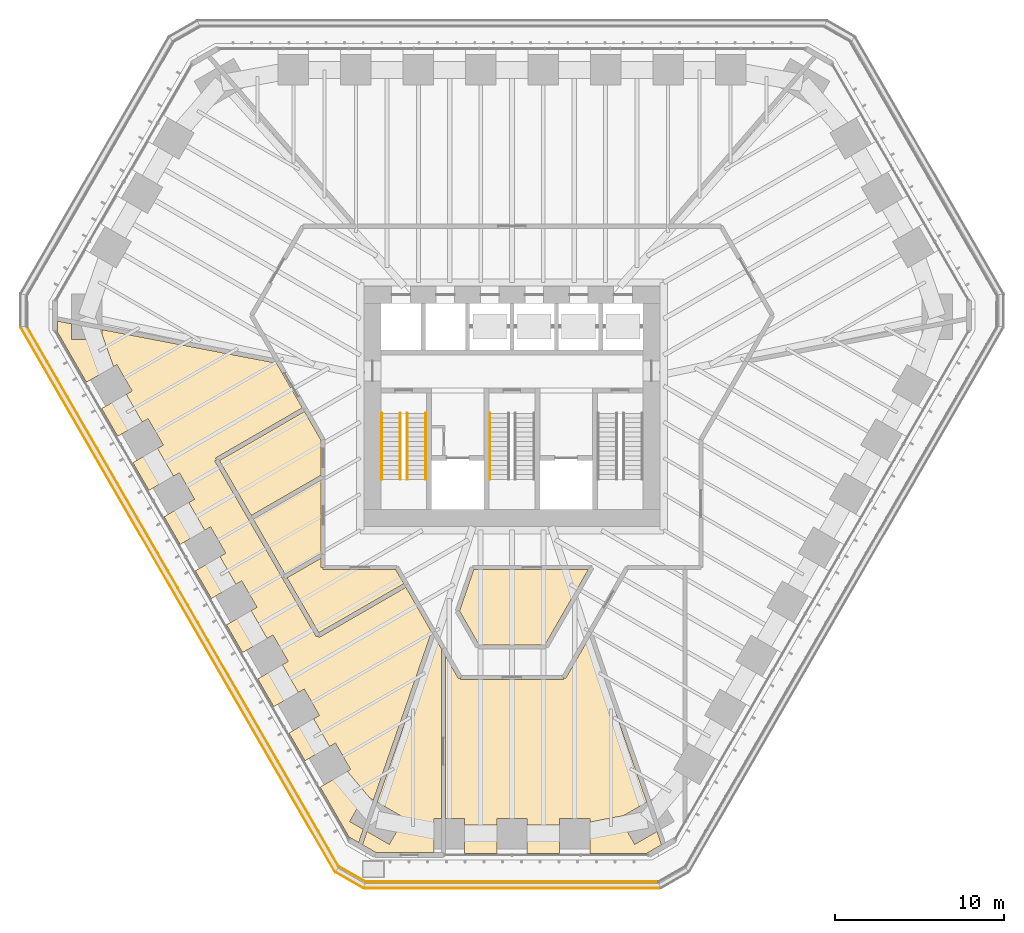
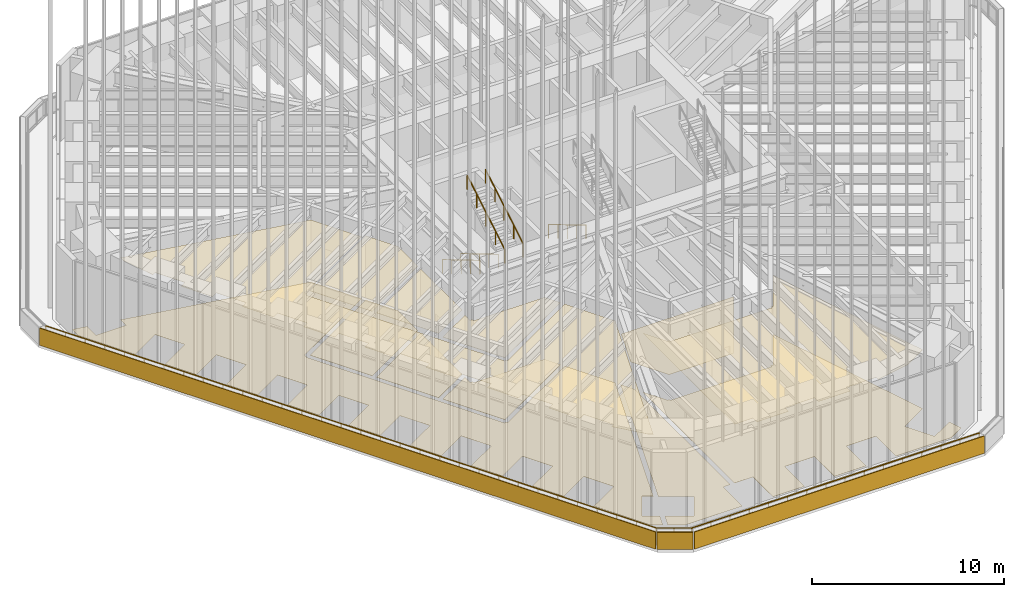
# One storey, part 223 of 228: 15 coverings, 8 railings.
"""IFC4 building model written with IfcOpenShell, lengths in metres."""

import ifcopenshell
import ifcopenshell.guid

model = None  # the IFC model being written
_history = None  # IfcOwnerHistory: only IFC2X3 demands one
_inside = {}  # id of a spatial element -> (the spatial element, [elements in it])
_under = {}  # id of a project, library or spatial element -> (it, [spatial elements below it])
_declared = {}  # id of a project -> (the project, [libraries it declares])
_typed = {}  # id of a type object -> (the type object, [elements of that type])
_made_of = {}  # id of a material, layer set ... -> (it, [elements and type objects made of it])


def new_model(schema):
    """Start an empty IFC model of exactly this schema.

    Asked for "IFC4X3", IfcOpenShell would pick the latest addendum, in which some entities
    have other attributes; the version numbers below select the first issue.
    IFC2X3 requires an IfcOwnerHistory on every rooted entity: one is made here for all.
    """
    global model, _history
    if schema == "IFC4X3":
        model = ifcopenshell.file(schema_version=(4, 3, 0, 0))
    else:
        model = ifcopenshell.file(schema=schema)
    _inside.clear()
    _under.clear()
    _declared.clear()
    _typed.clear()
    _made_of.clear()
    _history = None
    if model.schema == "IFC2X3":
        org = make("IfcOrganization", Name="unknown")
        user = make(
            "IfcPersonAndOrganization",
            ThePerson=make("IfcPerson", FamilyName="unknown"),
            TheOrganization=org,
        )
        app = make(
            "IfcApplication",
            ApplicationDeveloper=org,
            Version="unknown",
            ApplicationFullName="unknown",
            ApplicationIdentifier="unknown",
        )
        _history = make(
            "IfcOwnerHistory",
            OwningUser=user,
            OwningApplication=app,
            ChangeAction="ADDED",
            CreationDate=0,
        )
    return model


def make(cls, **values):
    """One entity of the class cls with the attributes given. An attribute that is None is left unset."""
    return model.create_entity(
        cls, **{name: value for name, value in values.items() if value is not None}
    )


def rooted(cls, **values):
    """An entity with a GlobalId (a new one), such as an element, a storey or a relation."""
    return make(cls, GlobalId=ifcopenshell.guid.new(), OwnerHistory=_history, **values)


def si_unit(unit_type, name, prefix=None):
    """IfcSIUnit, for example si_unit("LENGTHUNIT", "METRE", prefix="MILLI")."""
    return make("IfcSIUnit", UnitType=unit_type, Prefix=prefix, Name=name)


def assignment(units):
    """IfcUnitAssignment: the units of a project."""
    return None if units is None else make("IfcUnitAssignment", Units=units)


def point(xyz):
    """IfcCartesianPoint."""
    return None if xyz is None else make("IfcCartesianPoint", Coordinates=xyz)


def direction(xyz):
    """IfcDirection."""
    return None if xyz is None else make("IfcDirection", DirectionRatios=xyz)


def frame(location, z_axis=None, x_axis=None):
    """IfcAxis2Placement3D, a coordinate frame: its origin and axes. An axis left out is left unset."""
    return make(
        "IfcAxis2Placement3D",
        Location=point(location),
        Axis=direction(z_axis),
        RefDirection=direction(x_axis),
    )


def frame_2d(location, x_axis=None):
    """IfcAxis2Placement2D, a coordinate frame in the plane: its origin and x axis."""
    return make(
        "IfcAxis2Placement2D", Location=point(location), RefDirection=direction(x_axis)
    )


def origin():
    """The frame at (0, 0, 0) with its axes left unset."""
    return frame((0.0, 0.0, 0.0))


def origin_2d():
    """The frame at (0, 0) in the plane with its x axis left unset."""
    return frame_2d((0.0, 0.0))


def place(relative_to, where):
    """IfcLocalPlacement: puts the frame where relative to a parent placement (None: the world)."""
    return make(
        "IfcLocalPlacement", PlacementRelTo=relative_to, RelativePlacement=where
    )


def context(
    kind, dimensions, precision=None, world=None, true_north=None, identifier=None
):
    """IfcGeometricRepresentationContext, for example the 3D "Model" context."""
    return make(
        "IfcGeometricRepresentationContext",
        ContextIdentifier=identifier,
        ContextType=kind,
        CoordinateSpaceDimension=dimensions,
        Precision=precision,
        WorldCoordinateSystem=world,
        TrueNorth=true_north,
    )


def subcontext(parent, identifier, kind, view, scale=None):
    """IfcGeometricRepresentationSubContext, for example "Body" below "Model"."""
    return make(
        "IfcGeometricRepresentationSubContext",
        ContextIdentifier=identifier,
        ContextType=kind,
        ParentContext=parent,
        TargetScale=scale,
        TargetView=view,
    )


def project(units=None, contexts=None):
    """IfcProject with its units and contexts."""
    return rooted(
        "IfcProject",
        Name="project",
        RepresentationContexts=contexts,
        UnitsInContext=assignment(units),
    )


def spatial(cls, under=None, at=None, **own):
    """A site, building, storey or space (cls), placed at a placement, below another one or the project."""
    s = rooted(cls, ObjectPlacement=at, **own)
    if under is not None:
        _under.setdefault(under.id(), (under, []))[1].append(s)
    return s


def polyline(points):
    """IfcPolyline through the points."""
    return make("IfcPolyline", Points=[point(p) for p in points])


def profile(cls, at=None, kind="AREA", **sizes):
    """A parametric profile (cls). Its sizes go by their IFC names, for example OverallWidth=200.0."""
    return make(cls, ProfileType=kind, Position=at, **sizes)


def rectangle(**sizes):
    """IfcRectangleProfileDef."""
    return profile("IfcRectangleProfileDef", **sizes)


def circle(**sizes):
    """IfcCircleProfileDef."""
    return profile("IfcCircleProfileDef", **sizes)


def outline(outer, holes=None, kind="AREA"):
    """IfcArbitraryClosedProfileDef: a profile drawn as a closed curve; with holes, ...WithVoids."""
    if holes is None:
        return make("IfcArbitraryClosedProfileDef", ProfileType=kind, OuterCurve=outer)
    return make(
        "IfcArbitraryProfileDefWithVoids",
        ProfileType=kind,
        OuterCurve=outer,
        InnerCurves=holes,
    )


def extrude(swept, where, along, depth):
    """IfcExtrudedAreaSolid: the profile swept, set in the frame where, extruded along a direction by depth."""
    return make(
        "IfcExtrudedAreaSolid",
        SweptArea=swept,
        Position=where,
        ExtrudedDirection=direction(along),
        Depth=depth,
    )


def shape(context_of_items, identifier, shape_type, items):
    """IfcShapeRepresentation: the items that make up one representation, for example the "Body"."""
    return make(
        "IfcShapeRepresentation",
        ContextOfItems=context_of_items,
        RepresentationIdentifier=identifier,
        RepresentationType=shape_type,
        Items=items,
    )


def material(Name=None, Category=None):
    """IfcMaterial."""
    return make("IfcMaterial", Name=Name, Category=Category)


def layer(
    of_material, thickness, ventilated=None, Name=None, Category=None, Priority=None
):
    """IfcMaterialLayer: one layer of a wall or slab, of a material (None: an air gap)."""
    return make(
        "IfcMaterialLayer",
        Material=of_material,
        LayerThickness=thickness,
        IsVentilated=ventilated,
        Name=Name,
        Category=Category,
        Priority=Priority,
    )


def layer_set(layers, Name=None):
    """IfcMaterialLayerSet."""
    return make("IfcMaterialLayerSet", MaterialLayers=layers, LayerSetName=Name)


def made_of(thing, what):
    """Note that an element or type object is made of a material, layer set ...; save() writes the relation."""
    if what is not None:
        _made_of.setdefault(what.id(), (what, []))[1].append(thing)
    return thing


def type_object(cls, material=None, **own):
    """A type object (cls), such as IfcWallType, which elements share."""
    return made_of(rooted(cls, **own), material)


def element(
    cls,
    number,
    at=None,
    inside=None,
    cuts=None,
    type_object=None,
    material=None,
    context=None,
    identifier="Body",
    shape_type=None,
    held_by="IfcProductDefinitionShape",
    body=None,
    shapes=None,
    **own,
):
    """One element of the class cls, such as IfcWall. Its Tag is "e" and its number.

    at: its placement. inside: the storey or other place that contains it. cuts: it is an
    opening in that element (IfcRelVoidsElement). A single representation is given by context,
    identifier, shape_type and body (its items); several are given by shapes. held_by: the class
    of the entity that holds the representations. save() writes the other relations.
    """
    e = rooted(cls, Tag="e%d" % number, ObjectPlacement=at, **own)
    if body is not None:
        shapes = [shape(context, identifier, shape_type, body)]
    if shapes is not None:
        e.Representation = make(held_by, Representations=shapes)
    if inside is not None:
        _inside.setdefault(inside.id(), (inside, []))[1].append(e)
    if cuts is not None:
        rooted(
            "IfcRelVoidsElement", RelatingBuildingElement=cuts, RelatedOpeningElement=e
        )
    if type_object is not None:
        _typed.setdefault(type_object.id(), (type_object, []))[1].append(e)
    return made_of(e, material)


def aggregate(whole, parts):
    """IfcRelAggregates: a whole, such as a stair, and the parts it consists of."""
    return rooted("IfcRelAggregates", RelatingObject=whole, RelatedObjects=parts)


def save(model, path):
    """Write the relations noted so far, then the file.

    IfcRelAggregates (storeys below a building ...), IfcRelContainedInSpatialStructure (elements
    in a storey), IfcRelDefinesByType, IfcRelAssociatesMaterial and IfcRelDeclares: one each for
    every whole, place, type object, material and project.
    """
    for whole, parts in _under.values():
        aggregate(whole, parts)
    for where, things in _inside.values():
        rooted(
            "IfcRelContainedInSpatialStructure",
            RelatedElements=things,
            RelatingStructure=where,
        )
    for kind, things in _typed.values():
        rooted("IfcRelDefinesByType", RelatedObjects=things, RelatingType=kind)
    for what, things in _made_of.values():
        rooted("IfcRelAssociatesMaterial", RelatedObjects=things, RelatingMaterial=what)
    for by, libraries in _declared.values():
        rooted("IfcRelDeclares", RelatingContext=by, RelatedDefinitions=libraries)
    model.write(path)


model = new_model("IFC4")

# Units and contexts
model_context = context("Model", 3, precision=1e-05, world=origin(), true_north=direction((0.0, 1.0)))
body_context = subcontext(model_context, "Body", "Model", "MODEL_VIEW")
ifc_project = project(units=[si_unit("LENGTHUNIT", "METRE"), si_unit("AREAUNIT", "SQUARE_METRE"), si_unit("VOLUMEUNIT", "CUBIC_METRE"), si_unit("PLANEANGLEUNIT", "RADIAN"), si_unit("MASSUNIT", "GRAM", prefix="KILO")], contexts=[model_context])

# Site, building, storey
site_placement = place(None, origin())
site = spatial("IfcSite", under=ifc_project, at=site_placement, CompositionType="ELEMENT")
building_placement = place(site_placement, origin())
building = spatial("IfcBuilding", under=site, at=building_placement, Name="Sandreach Pilgrim Tower", CompositionType="ELEMENT")
storey_placement = place(building_placement, frame((0.0, 0.0, 178.199951171875)))
storey = spatial("IfcBuildingStorey", under=building, at=storey_placement, Name="L44", CompositionType="ELEMENT", Elevation=178.199951171875)

# Coverings
ifc_material_1 = material(Name="Nylon carpet tile on the slab", Category="textile")
ifc_layer_1 = layer(ifc_material_1, 0.008056640625)
ifc_layer_set_1 = layer_set([ifc_layer_1], Name="Carpet tile")
covering_type_1 = type_object("IfcCoveringType", Name="Carpet tile", PredefinedType="FLOORING", material=ifc_layer_set_1)
covering_1_placement = place(storey_placement, origin())
element("IfcCovering", 1, at=covering_1_placement, inside=storey, type_object=covering_type_1, Name="Floor finish 4404 Housekeeping and linen room", PredefinedType="FLOORING", context=body_context, shape_type="SweptSolid", body=[
    extrude(outline(polyline([(-3.168212890625, -16.09228515625), (-3.06005859375, -16.030029296875), (-3.06005859375, -16.155029296875), (3.06005859375, -16.155029296875), (3.06005859375, -16.030029296875), (3.168212890625, -16.092529296875), (4.59130859375, -13.62939453125), (7.975341796875, -23.404541015625), (6.359375, -24.33740234375), (7.25927734375, -25.896240234375), (8.574951171875, -25.13671875), (8.845947265625, -25.919677734375), (7.93603515625, -26.445068359375), (4.6103515625, -26.445068359375), (4.6103515625, -24.365234375), (2.810302734375, -24.365234375), (2.810302734375, -26.445068359375), (0.89990234375, -26.445068359375), (0.89990234375, -24.365234375), (-0.89990234375, -24.365234375), (-0.89990234375, -26.445068359375), (-2.810302734375, -26.445068359375), (-2.810302734375, -24.365234375), (-3.925048828125, -24.365234375), (-3.925048828125, -14.77783203125), (-3.168212890625, -16.09228515625)])), origin(), (0.0, 0.0, 1.0), 0.008056640625),
])
covering_2_placement = place(storey_placement, origin())
element("IfcCovering", 2, at=covering_2_placement, inside=storey, type_object=covering_type_1, Name="Floor finish 4405 Business centre", PredefinedType="FLOORING", context=body_context, shape_type="SweptSolid", body=[
    extrude(outline(polyline([(-26.8701171875, 4.380126953125), (-26.8701171875, 5.04443359375), (-26.056640625, 4.887939453125), (-26.056640625, 3.96142578125), (-24.256591796875, 3.96142578125), (-24.256591796875, 4.542236328125), (-13.9296875, 2.55810546875), (-12.40087890625, -0.08447265625), (-17.53369140625, -3.052490234375), (-17.504638671875, -3.179931640625), (-17.578125, -3.22265625), (-11.5771484375, -13.614501953125), (-11.457275390625, -13.572021484375), (-11.407470703125, -13.658203125), (-6.27587890625, -10.70068359375), (-4.7568359375, -13.343017578125), (-8.19580078125, -23.277099609375), (-8.697509765625, -22.987548828125), (-9.59765625, -24.54638671875), (-8.79541015625, -25.009521484375), (-9.066650390625, -25.79248046875), (-9.6416015625, -25.46044921875), (-11.343994140625, -22.51171875), (-9.542724609375, -21.4716796875), (-10.442626953125, -19.912841796875), (-12.244140625, -20.952880859375), (-13.190185546875, -19.31396484375), (-11.388916015625, -18.27392578125), (-12.2890625, -16.715087890625), (-14.09033203125, -17.755126953125), (-15.03662109375, -16.1162109375), (-13.235107421875, -15.076171875), (-14.13525390625, -13.517333984375), (-15.9365234375, -14.557373046875), (-16.8828125, -12.91845703125), (-15.08154296875, -11.87841796875), (-15.9814453125, -10.319580078125), (-17.78271484375, -11.359619140625), (-18.72900390625, -9.720703125), (-16.927734375, -8.6806640625), (-17.82763671875, -7.121826171875), (-19.629150390625, -8.16162109375), (-20.5751953125, -6.522705078125), (-18.77392578125, -5.48291015625), (-19.673828125, -3.923828125), (-21.475341796875, -4.9638671875), (-22.421630859375, -3.324951171875), (-20.6201171875, -2.284912109375), (-21.520263671875, -0.72607421875), (-23.321533203125, -1.76611328125), (-24.267822265625, -0.127197265625), (-22.466552734375, 0.912841796875), (-23.366455078125, 2.4716796875), (-25.167724609375, 1.431640625), (-26.8701171875, 4.380126953125)])), origin(), (0.0, 0.0, 1.0), 0.008056640625),
])
ifc_material_2 = material(Name="Epoxy resin floor on the slab", Category="plastic")
ifc_layer_2 = layer(ifc_material_2, 0.00390625)
ifc_layer_set_2 = layer_set([ifc_layer_2], Name="Epoxy resin floor")
covering_type_2 = type_object("IfcCoveringType", Name="Epoxy resin floor", PredefinedType="FLOORING", material=ifc_layer_set_2)
covering_3_placement = place(storey_placement, origin())
element("IfcCovering", 3, at=covering_3_placement, inside=storey, type_object=covering_type_2, Name="Floor finish 44B1 Baggage store", PredefinedType="FLOORING", context=body_context, shape_type="SweptSolid", body=[
    extrude(outline(polyline([(4.513916015625, -9.64501953125), (1.94775390625, -14.10498046875), (-1.94775390625, -14.10498046875), (-3.103271484375, -12.096923828125), (-2.2607421875, -9.64501953125), (4.513916015625, -9.64501953125)])), origin(), (0.0, 0.0, 1.0), 0.004150390625),
])
covering_4_placement = place(storey_placement, origin())
element("IfcCovering", 4, at=covering_4_placement, inside=storey, type_object=covering_type_2, Name="Floor finish 44N2 Roof maintenance store", PredefinedType="FLOORING", context=body_context, shape_type="SweptSolid", body=[
    extrude(outline(polyline([(-8.05712890625, -26.375244140625), (-8.845947265625, -25.919677734375), (-8.574951171875, -25.13671875), (-7.25927734375, -25.896240234375), (-6.359375, -24.33740234375), (-7.975341796875, -23.404541015625), (-4.58935546875, -13.62353515625), (-4.175048828125, -14.343505859375), (-4.175048828125, -24.365234375), (-4.6103515625, -24.365234375), (-4.6103515625, -26.375244140625), (-8.05712890625, -26.375244140625)])), origin(), (0.0, 0.0, 1.0), 0.004150390625),
])
ifc_material_3 = material(Name="Gypsum board suspended ceiling on a steel grid", Category="steel")
ifc_layer_3 = layer(ifc_material_3, 0.012939453125)
ifc_layer_set_3 = layer_set([ifc_layer_3], Name="Gypsum board suspended ceiling")
covering_type_3 = type_object("IfcCoveringType", Name="Gypsum board suspended ceiling", PredefinedType="CEILING", material=ifc_layer_set_3)
covering_5_placement = place(storey_placement, frame((0.0, 0.0, 3.75)))
element("IfcCovering", 5, at=covering_5_placement, inside=storey, type_object=covering_type_3, Name="Ceiling 4404 Housekeeping and linen room", PredefinedType="CEILING", context=body_context, shape_type="SweptSolid", body=[
    extrude(outline(polyline([(-3.168212890625, -16.09228515625), (-3.06005859375, -16.030029296875), (-3.06005859375, -16.155029296875), (3.06005859375, -16.155029296875), (3.06005859375, -16.030029296875), (3.168212890625, -16.092529296875), (4.59130859375, -13.62939453125), (7.975341796875, -23.404541015625), (6.599853515625, -24.198486328125), (4.6103515625, -24.582275390625), (4.6103515625, -24.365234375), (2.810302734375, -24.365234375), (2.810302734375, -24.76513671875), (0.89990234375, -24.76513671875), (0.89990234375, -24.365234375), (-0.89990234375, -24.365234375), (-0.89990234375, -24.76513671875), (-2.810302734375, -24.76513671875), (-2.810302734375, -24.365234375), (-3.925048828125, -24.365234375), (-3.925048828125, -14.77783203125), (-3.168212890625, -16.09228515625)])), origin(), (0.0, 0.0, 1.0), 0.012939453125),
])
covering_6_placement = place(storey_placement, frame((0.0, 0.0, 3.949951171875)))
element("IfcCovering", 6, at=covering_6_placement, inside=storey, type_object=covering_type_3, Name="Ceiling 4405 Business centre", PredefinedType="CEILING", context=body_context, shape_type="SweptSolid", body=[
    extrude(outline(polyline([(-17.578125, -3.22265625), (-11.5771484375, -13.614501953125), (-11.457275390625, -13.572021484375), (-11.407470703125, -13.658203125), (-6.27587890625, -10.70068359375), (-4.7568359375, -13.343017578125), (-8.19580078125, -23.277099609375), (-8.418212890625, -23.14892578125), (-9.7412109375, -21.586181640625), (-9.542724609375, -21.4716796875), (-10.442626953125, -19.912841796875), (-10.7890625, -20.11279296875), (-11.7353515625, -18.473876953125), (-11.388916015625, -18.27392578125), (-12.2890625, -16.715087890625), (-12.63525390625, -16.9150390625), (-13.58154296875, -15.276123046875), (-13.235107421875, -15.076171875), (-14.13525390625, -13.517333984375), (-14.481689453125, -13.71728515625), (-15.427978515625, -12.078369140625), (-15.08154296875, -11.87841796875), (-15.9814453125, -10.319580078125), (-16.327880859375, -10.51953125), (-17.274169921875, -8.880615234375), (-16.927734375, -8.6806640625), (-17.82763671875, -7.121826171875), (-18.174072265625, -7.32177734375), (-19.120361328125, -5.682861328125), (-18.77392578125, -5.48291015625), (-19.673828125, -3.923828125), (-20.020263671875, -4.1240234375), (-20.966552734375, -2.485107421875), (-20.6201171875, -2.284912109375), (-21.520263671875, -0.72607421875), (-21.86669921875, -0.92626953125), (-22.812744140625, 0.712890625), (-22.466552734375, 0.912841796875), (-23.366455078125, 2.4716796875), (-23.56494140625, 2.357177734375), (-24.256591796875, 4.2841796875), (-24.256591796875, 4.542236328125), (-13.9296875, 2.55810546875), (-12.40087890625, -0.08447265625), (-17.53271484375, -3.0517578125), (-17.470458984375, -3.160400390625), (-17.578125, -3.22265625)])), origin(), (0.0, 0.0, 1.0), 0.01318359375),
])
ifc_material_4 = material(Name="Moisture-resistant gypsum board suspended ceiling on a steel grid", Category="steel")
ifc_layer_4 = layer(ifc_material_4, 0.01611328125)
ifc_layer_set_4 = layer_set([ifc_layer_4], Name="Moisture-resistant gypsum board ceiling")
covering_type_4 = type_object("IfcCoveringType", Name="Moisture-resistant gypsum board ceiling", PredefinedType="CEILING", material=ifc_layer_set_4)
covering_7_placement = place(storey_placement, frame((0.0, 0.0, 4.10009765625)))
element("IfcCovering", 7, at=covering_7_placement, inside=storey, type_object=covering_type_4, Name="Ceiling 44T1 Women's toilets 44", PredefinedType="CEILING", context=body_context, shape_type="SweptSolid", body=[
    extrude(outline(polyline([(-12.27587890625, -0.30078125), (-11.294921875, -2.00341796875), (-11.294921875, -4.06787109375), (-15.42431640625, -6.44921875), (-17.29931640625, -3.20556640625), (-12.27587890625, -0.30078125)])), origin(), (0.0, 0.0, 1.0), 0.015869140625),
])
covering_8_placement = place(storey_placement, frame((0.0, 0.0, 4.10009765625)))
element("IfcCovering", 8, at=covering_8_placement, inside=storey, type_object=covering_type_4, Name="Ceiling 44T2 Accessible WC 44", PredefinedType="CEILING", context=body_context, shape_type="SweptSolid", body=[
    extrude(outline(polyline([(-15.29931640625, -6.665771484375), (-11.294921875, -4.3564453125), (-11.294921875, -8.68798828125), (-13.42431640625, -9.919189453125), (-15.29931640625, -6.665771484375)])), origin(), (0.0, 0.0, 1.0), 0.015869140625),
])
covering_9_placement = place(storey_placement, frame((0.0, 0.0, 3.949951171875)))
element("IfcCovering", 9, at=covering_9_placement, inside=storey, type_object=covering_type_4, Name="Ceiling 44T3 Men's toilets 44", PredefinedType="CEILING", context=body_context, shape_type="SweptSolid", body=[
    extrude(outline(polyline([(-6.88232421875, -9.64501953125), (-6.399169921875, -10.483154296875), (-11.42431640625, -13.37939453125), (-13.29931640625, -10.1357421875), (-11.294921875, -8.9765625), (-11.294921875, -9.52001953125), (-11.169921875, -9.52001953125), (-11.169921875, -9.64501953125), (-6.88232421875, -9.64501953125)])), origin(), (0.0, 0.0, 1.0), 0.01611328125),
])
ifc_material_5 = material(Name="Porcelain tile on an adhesive bed", Category="ceramic")
ifc_layer_5 = layer(ifc_material_5, 0.011962890625)
ifc_layer_set_5 = layer_set([ifc_layer_5], Name="Porcelain tile")
covering_type_5 = type_object("IfcCoveringType", Name="Porcelain tile", PredefinedType="FLOORING", material=ifc_layer_set_5)
covering_10_placement = place(storey_placement, origin())
element("IfcCovering", 10, at=covering_10_placement, inside=storey, type_object=covering_type_5, Name="Floor finish 44T1 Women's toilets 44", PredefinedType="FLOORING", context=body_context, shape_type="SweptSolid", body=[
    extrude(outline(polyline([(-11.294921875, -2.00341796875), (-11.294921875, -4.06787109375), (-15.42431640625, -6.44921875), (-17.29931640625, -3.20556640625), (-12.27587890625, -0.30078125), (-11.294921875, -2.00341796875)])), origin(), (0.0, 0.0, 1.0), 0.011962890625),
])
covering_11_placement = place(storey_placement, origin())
element("IfcCovering", 11, at=covering_11_placement, inside=storey, type_object=covering_type_5, Name="Floor finish 44T2 Accessible WC 44", PredefinedType="FLOORING", context=body_context, shape_type="SweptSolid", body=[
    extrude(outline(polyline([(-11.294921875, -4.3564453125), (-11.294921875, -8.68798828125), (-13.42431640625, -9.919189453125), (-15.29931640625, -6.665771484375), (-11.294921875, -4.3564453125)])), origin(), (0.0, 0.0, 1.0), 0.011962890625),
])
covering_12_placement = place(storey_placement, origin())
element("IfcCovering", 12, at=covering_12_placement, inside=storey, type_object=covering_type_5, Name="Floor finish 44T3 Men's toilets 44", PredefinedType="FLOORING", context=body_context, shape_type="SweptSolid", body=[
    extrude(outline(polyline([(-6.88232421875, -9.64501953125), (-6.399169921875, -10.483154296875), (-11.42431640625, -13.37939453125), (-13.29931640625, -10.1357421875), (-11.294921875, -8.9765625), (-11.294921875, -9.52001953125), (-11.169921875, -9.52001953125), (-11.169921875, -9.64501953125), (-6.88232421875, -9.64501953125)])), origin(), (0.0, 0.0, 1.0), 0.011962890625),
])

# Railings
ifc_material_6 = material(Name="Galvanised steel guardrail", Category="steel")
railing_type_1 = type_object("IfcRailingType", Name="Setback roof guard", PredefinedType="GUARDRAIL", material=ifc_material_6)
railing_1_placement = place(storey_placement, frame((-28.672607421875, 4.69384765625, 0.0)))
element("IfcRailing", 13, at=railing_1_placement, inside=storey, type_object=railing_type_1, Name="Setback maintenance roof guard L44 4", PredefinedType="GUARDRAIL", context=body_context, shape_type="SweptSolid", body=[
    extrude(circle(Radius=0.02392578125, at=origin_2d()), frame((0.0, 0.0, 1.076171875), z_axis=(0.500003255909, -0.866023523976, 0.0), x_axis=(0.866023523976, 0.500003255909, 0.0)), (0.0, 0.0, 1.0), 36.802490234375),
    extrude(circle(Radius=0.02099609375, at=origin_2d()), origin(), (0.0, 0.0, 1.0), 1.052001953125),
    extrude(circle(Radius=0.02099609375, at=origin_2d()), frame((0.593505859375, -1.028076171875, 0.0)), (0.0, 0.0, 1.0), 1.052001953125),
    extrude(circle(Radius=0.02099609375, at=origin_2d()), frame((1.187255859375, -2.05615234375, 0.0)), (0.0, 0.0, 1.0), 1.052001953125),
    extrude(circle(Radius=0.02099609375, at=origin_2d()), frame((1.78076171875, -3.08447265625, 0.0)), (0.0, 0.0, 1.0), 1.052001953125),
    extrude(circle(Radius=0.02099609375, at=origin_2d()), frame((2.374267578125, -4.112548828125, 0.0)), (0.0, 0.0, 1.0), 1.052001953125),
    extrude(circle(Radius=0.02099609375, at=origin_2d()), frame((2.968017578125, -5.140625, 0.0)), (0.0, 0.0, 1.0), 1.052001953125),
    extrude(circle(Radius=0.02099609375, at=origin_2d()), frame((3.5615234375, -6.168701171875, 0.0)), (0.0, 0.0, 1.0), 1.052001953125),
    extrude(circle(Radius=0.02099609375, at=origin_2d()), frame((4.155029296875, -7.19677734375, 0.0)), (0.0, 0.0, 1.0), 1.052001953125),
    extrude(circle(Radius=0.02099609375, at=origin_2d()), frame((4.748779296875, -8.22509765625, 0.0)), (0.0, 0.0, 1.0), 1.052001953125),
    extrude(circle(Radius=0.02099609375, at=origin_2d()), frame((5.34228515625, -9.253173828125, 0.0)), (0.0, 0.0, 1.0), 1.052001953125),
    extrude(circle(Radius=0.02099609375, at=origin_2d()), frame((5.93603515625, -10.28125, 0.0)), (0.0, 0.0, 1.0), 1.052001953125),
    extrude(circle(Radius=0.02099609375, at=origin_2d()), frame((6.529541015625, -11.309326171875, 0.0)), (0.0, 0.0, 1.0), 1.052001953125),
    extrude(circle(Radius=0.02099609375, at=origin_2d()), frame((7.123046875, -12.33740234375, 0.0)), (0.0, 0.0, 1.0), 1.052001953125),
    extrude(circle(Radius=0.02099609375, at=origin_2d()), frame((7.716796875, -13.36572265625, 0.0)), (0.0, 0.0, 1.0), 1.052001953125),
    extrude(circle(Radius=0.02099609375, at=origin_2d()), frame((8.310302734375, -14.393798828125, 0.0)), (0.0, 0.0, 1.0), 1.052001953125),
    extrude(circle(Radius=0.02099609375, at=origin_2d()), frame((8.90380859375, -15.421875, 0.0)), (0.0, 0.0, 1.0), 1.052001953125),
    extrude(circle(Radius=0.02099609375, at=origin_2d()), frame((9.49755859375, -16.449951171875, 0.0)), (0.0, 0.0, 1.0), 1.052001953125),
    extrude(circle(Radius=0.02099609375, at=origin_2d()), frame((10.091064453125, -17.47802734375, 0.0)), (0.0, 0.0, 1.0), 1.052001953125),
    extrude(circle(Radius=0.02099609375, at=origin_2d()), frame((10.6845703125, -18.506103515625, 0.0)), (0.0, 0.0, 1.0), 1.052001953125),
    extrude(circle(Radius=0.02099609375, at=origin_2d()), frame((11.2783203125, -19.534423828125, 0.0)), (0.0, 0.0, 1.0), 1.052001953125),
    extrude(circle(Radius=0.02099609375, at=origin_2d()), frame((11.871826171875, -20.5625, 0.0)), (0.0, 0.0, 1.0), 1.052001953125),
    extrude(circle(Radius=0.02099609375, at=origin_2d()), frame((12.46533203125, -21.590576171875, 0.0)), (0.0, 0.0, 1.0), 1.052001953125),
    extrude(circle(Radius=0.02099609375, at=origin_2d()), frame((13.05908203125, -22.61865234375, 0.0)), (0.0, 0.0, 1.0), 1.052001953125),
    extrude(circle(Radius=0.02099609375, at=origin_2d()), frame((13.652587890625, -23.646728515625, 0.0)), (0.0, 0.0, 1.0), 1.052001953125),
    extrude(circle(Radius=0.02099609375, at=origin_2d()), frame((14.246337890625, -24.675048828125, 0.0)), (0.0, 0.0, 1.0), 1.052001953125),
    extrude(circle(Radius=0.02099609375, at=origin_2d()), frame((14.83984375, -25.703125, 0.0)), (0.0, 0.0, 1.0), 1.052001953125),
    extrude(circle(Radius=0.02099609375, at=origin_2d()), frame((15.433349609375, -26.731201171875, 0.0)), (0.0, 0.0, 1.0), 1.052001953125),
    extrude(circle(Radius=0.02099609375, at=origin_2d()), frame((16.027099609375, -27.75927734375, 0.0)), (0.0, 0.0, 1.0), 1.052001953125),
    extrude(circle(Radius=0.02099609375, at=origin_2d()), frame((16.62060546875, -28.787353515625, 0.0)), (0.0, 0.0, 1.0), 1.052001953125),
    extrude(circle(Radius=0.02099609375, at=origin_2d()), frame((17.214111328125, -29.815673828125, 0.0)), (0.0, 0.0, 1.0), 1.052001953125),
    extrude(circle(Radius=0.02099609375, at=origin_2d()), frame((17.807861328125, -30.84375, 0.0)), (0.0, 0.0, 1.0), 1.052001953125),
    extrude(circle(Radius=0.02099609375, at=origin_2d()), frame((18.4013671875, -31.871826171875, 0.0)), (0.0, 0.0, 1.0), 1.052001953125),
])
railing_2_placement = place(storey_placement, frame((-10.271240234375, -27.177978515625, 0.0)))
element("IfcRailing", 14, at=railing_2_placement, inside=storey, type_object=railing_type_1, Name="Setback maintenance roof guard L44 5", PredefinedType="GUARDRAIL", context=body_context, shape_type="SweptSolid", body=[
    extrude(circle(Radius=0.02392578125, at=origin_2d()), frame((0.0, 0.0, 1.076171875), z_axis=(0.864674658425, -0.502332295476, 0.0), x_axis=(0.502332295476, 0.864674658425, 0.0)), (0.0, 0.0, 1.0), 1.855712890625),
    extrude(circle(Radius=0.02099609375, at=origin_2d()), origin(), (0.0, 0.0, 1.0), 1.052001953125),
    extrude(circle(Radius=0.02099609375, at=origin_2d()), frame((0.80224609375, -0.466064453125, 0.0)), (0.0, 0.0, 1.0), 1.052001953125),
    extrude(circle(Radius=0.02099609375, at=origin_2d()), frame((1.6044921875, -0.93212890625, 0.0)), (0.0, 0.0, 1.0), 1.052001953125),
])
railing_3_placement = place(storey_placement, frame((-8.666748046875, -28.110107421875, 0.0)))
element("IfcRailing", 15, at=railing_3_placement, inside=storey, type_object=railing_type_1, Name="Setback maintenance roof guard L44 6", PredefinedType="GUARDRAIL", context=body_context, shape_type="SweptSolid", body=[
    extrude(circle(Radius=0.02392578125, at=origin_2d()), frame((0.0, 0.0, 1.076171875), z_axis=(1.0, 0.0, 0.0), x_axis=(0.0, 1.0, 0.0)), (0.0, 0.0, 1.0), 17.33349609375),
    extrude(circle(Radius=0.02099609375, at=origin_2d()), origin(), (0.0, 0.0, 1.0), 1.052001953125),
    extrude(circle(Radius=0.02099609375, at=origin_2d()), frame((1.155517578125, 0.0, 0.0)), (0.0, 0.0, 1.0), 1.052001953125),
    extrude(circle(Radius=0.02099609375, at=origin_2d()), frame((2.31103515625, 0.0, 0.0)), (0.0, 0.0, 1.0), 1.052001953125),
    extrude(circle(Radius=0.02099609375, at=origin_2d()), frame((3.466796875, 0.0, 0.0)), (0.0, 0.0, 1.0), 1.052001953125),
    extrude(circle(Radius=0.02099609375, at=origin_2d()), frame((4.622314453125, 0.0, 0.0)), (0.0, 0.0, 1.0), 1.052001953125),
    extrude(circle(Radius=0.02099609375, at=origin_2d()), frame((5.77783203125, 0.0, 0.0)), (0.0, 0.0, 1.0), 1.052001953125),
    extrude(circle(Radius=0.02099609375, at=origin_2d()), frame((6.933349609375, 0.0, 0.0)), (0.0, 0.0, 1.0), 1.052001953125),
    extrude(circle(Radius=0.02099609375, at=origin_2d()), frame((8.0888671875, 0.0, 0.0)), (0.0, 0.0, 1.0), 1.052001953125),
    extrude(circle(Radius=0.02099609375, at=origin_2d()), frame((9.24462890625, 0.0, 0.0)), (0.0, 0.0, 1.0), 1.052001953125),
    extrude(circle(Radius=0.02099609375, at=origin_2d()), frame((10.400146484375, 0.0, 0.0)), (0.0, 0.0, 1.0), 1.052001953125),
    extrude(circle(Radius=0.02099609375, at=origin_2d()), frame((11.5556640625, 0.0, 0.0)), (0.0, 0.0, 1.0), 1.052001953125),
    extrude(circle(Radius=0.02099609375, at=origin_2d()), frame((12.711181640625, 0.0, 0.0)), (0.0, 0.0, 1.0), 1.052001953125),
    extrude(circle(Radius=0.02099609375, at=origin_2d()), frame((13.86669921875, 0.0, 0.0)), (0.0, 0.0, 1.0), 1.052001953125),
    extrude(circle(Radius=0.02099609375, at=origin_2d()), frame((15.0224609375, 0.0, 0.0)), (0.0, 0.0, 1.0), 1.052001953125),
    extrude(circle(Radius=0.02099609375, at=origin_2d()), frame((16.177978515625, 0.0, 0.0)), (0.0, 0.0, 1.0), 1.052001953125),
    extrude(circle(Radius=0.02099609375, at=origin_2d()), frame((17.33349609375, 0.0, 0.0)), (0.0, 0.0, 1.0), 1.052001953125),
])
ifc_material_7 = material(Name="Stainless steel tube", Category="steel")
railing_type_2 = type_object("IfcRailingType", Name="Stair handrail", PredefinedType="HANDRAIL", material=ifc_material_7)
for number, where, name in (
    (16, (-6.60009765625, -0.39990234375, 0.166748046875), "Handrail ST1 L44 flight 1"),
    (17, (-7.699951171875, -0.39990234375, 0.166748046875), "Handrail ST1 L44 flight 1"),
):
    element("IfcRailing", number, at=place(storey_placement, frame(where)), inside=storey, type_object=railing_type_2, Name=name, PredefinedType="HANDRAIL", context=body_context, shape_type="SweptSolid", body=[
        extrude(circle(Radius=0.02392578125, at=origin_2d()), frame((0.0, 0.0, 0.8759765625), z_axis=(0.0, -0.859310244771, 0.511454693235), x_axis=(1.0, 0.0, 0.0)), (0.0, 0.0, 1.0), 4.56201171875),
        extrude(circle(Radius=0.02099609375, at=origin_2d()), origin(), (0.0, 0.0, 1.0), 0.851806640625),
        extrude(circle(Radius=0.02099609375, at=origin_2d()), frame((0.0, -0.97998046875, 0.583251953125)), (0.0, 0.0, 1.0), 0.851806640625),
        extrude(circle(Radius=0.02099609375, at=origin_2d()), frame((0.0, -1.9599609375, 1.16650390625)), (0.0, 0.0, 1.0), 0.851806640625),
        extrude(circle(Radius=0.02099609375, at=origin_2d()), frame((0.0, -2.940185546875, 1.75)), (0.0, 0.0, 1.0), 0.851806640625),
        extrude(circle(Radius=0.02099609375, at=origin_2d()), frame((0.0, -3.920166015625, 2.333251953125)), (0.0, 0.0, 1.0), 0.851806640625),
    ])
for number, where, name in (
    (18, (-6.199951171875, -4.320068359375, 2.666748046875), "Handrail ST1 L44 flight 2"),
    (19, (-5.10009765625, -4.320068359375, 2.666748046875), "Handrail ST1 L44 flight 2"),
):
    element("IfcRailing", number, at=place(storey_placement, frame(where)), inside=storey, type_object=railing_type_2, Name=name, PredefinedType="HANDRAIL", context=body_context, shape_type="SweptSolid", body=[
        extrude(circle(Radius=0.02392578125, at=origin_2d()), frame((0.0, 0.0, 0.8759765625), z_axis=(0.0, 0.859310244771, 0.511454693235), x_axis=(-1.0, 0.0, 0.0)), (0.0, 0.0, 1.0), 4.56201171875),
        extrude(circle(Radius=0.02099609375, at=origin_2d()), origin(), (0.0, 0.0, 1.0), 0.851806640625),
        extrude(circle(Radius=0.02099609375, at=origin_2d()), frame((0.0, 0.97998046875, 0.583251953125)), (0.0, 0.0, 1.0), 0.851806640625),
        extrude(circle(Radius=0.02099609375, at=origin_2d()), frame((0.0, 1.9599609375, 1.16650390625)), (0.0, 0.0, 1.0), 0.851806640625),
        extrude(circle(Radius=0.02099609375, at=origin_2d()), frame((0.0, 2.940185546875, 1.75)), (0.0, 0.0, 1.0), 0.851806640625),
        extrude(circle(Radius=0.02099609375, at=origin_2d()), frame((0.0, 3.920166015625, 2.333251953125)), (0.0, 0.0, 1.0), 0.851806640625),
    ])
railing_4_placement = place(storey_placement, frame((-1.300048828125, -0.39990234375, 0.166748046875)))
element("IfcRailing", 20, at=railing_4_placement, inside=storey, type_object=railing_type_2, Name="Handrail ST3 L44 flight 1", PredefinedType="HANDRAIL", context=body_context, shape_type="SweptSolid", body=[
    extrude(circle(Radius=0.02392578125, at=origin_2d()), frame((0.0, 0.0, 0.8759765625), z_axis=(0.0, -0.859310244771, 0.511454693235), x_axis=(1.0, 0.0, 0.0)), (0.0, 0.0, 1.0), 4.56201171875),
    extrude(circle(Radius=0.02099609375, at=origin_2d()), origin(), (0.0, 0.0, 1.0), 0.851806640625),
    extrude(circle(Radius=0.02099609375, at=origin_2d()), frame((0.0, -0.97998046875, 0.583251953125)), (0.0, 0.0, 1.0), 0.851806640625),
    extrude(circle(Radius=0.02099609375, at=origin_2d()), frame((0.0, -1.9599609375, 1.16650390625)), (0.0, 0.0, 1.0), 0.851806640625),
    extrude(circle(Radius=0.02099609375, at=origin_2d()), frame((0.0, -2.940185546875, 1.75)), (0.0, 0.0, 1.0), 0.851806640625),
    extrude(circle(Radius=0.02099609375, at=origin_2d()), frame((0.0, -3.920166015625, 2.333251953125)), (0.0, 0.0, 1.0), 0.851806640625),
])

# Coverings
ifc_material_8 = material(Name="Terracotta rainscreen panels on aluminium rails", Category="masonry")
ifc_layer_6 = layer(ifc_material_8, 0.050048828125)
ifc_layer_set_6 = layer_set([ifc_layer_6], Name="Terracotta rainscreen cladding 50")
covering_type_6 = type_object("IfcCoveringType", Name="Terracotta rainscreen cladding 50", PredefinedType="CLADDING", material=ifc_layer_set_6)
covering_13_placement = place(storey_placement, frame((-29.049072265625, 4.6591796875, 0.0), z_axis=(0.0, 0.0, 1.0), x_axis=(0.500001430823, -0.866024577697, 0.0)))
element("IfcCovering", 21, at=covering_13_placement, inside=storey, type_object=covering_type_6, Name="Rainscreen cladding on setback parapet l44 4", PredefinedType="CLADDING", context=body_context, shape_type="SweptSolid", body=[
    extrude(rectangle(XDim=37.119140625, YDim=0.050048828125, at=frame_2d((18.5595703125, 0.0))), origin(), (0.0, 0.0, 1.0), 1.10009765625),
])
covering_14_placement = place(storey_placement, frame((-10.434814453125, -27.541748046875, 0.0), z_axis=(0.0, 0.0, 1.0), x_axis=(0.865548358429, -0.500825358005, 0.0)))
element("IfcCovering", 22, at=covering_14_placement, inside=storey, type_object=covering_type_6, Name="Rainscreen cladding on setback parapet l44 5", PredefinedType="CLADDING", context=body_context, shape_type="SweptSolid", body=[
    extrude(rectangle(XDim=1.870849609375, YDim=0.050048828125, at=frame_2d((0.935546875, 0.0))), origin(), (0.0, 0.0, 1.0), 1.10009765625),
])
covering_15_placement = place(storey_placement, frame((-8.740478515625, -28.498779296875, 0.0), z_axis=(0.0, 0.0, 1.0), x_axis=(1.0, 0.0, 0.0)))
element("IfcCovering", 23, at=covering_15_placement, inside=storey, type_object=covering_type_6, Name="Rainscreen cladding on setback parapet l44 6", PredefinedType="CLADDING", context=body_context, shape_type="SweptSolid", body=[
    extrude(rectangle(XDim=17.48095703125, YDim=0.050048828125, at=frame_2d((8.740478515625, 0.0))), origin(), (0.0, 0.0, 1.0), 1.10009765625),
])

save(model, "model.ifc")
